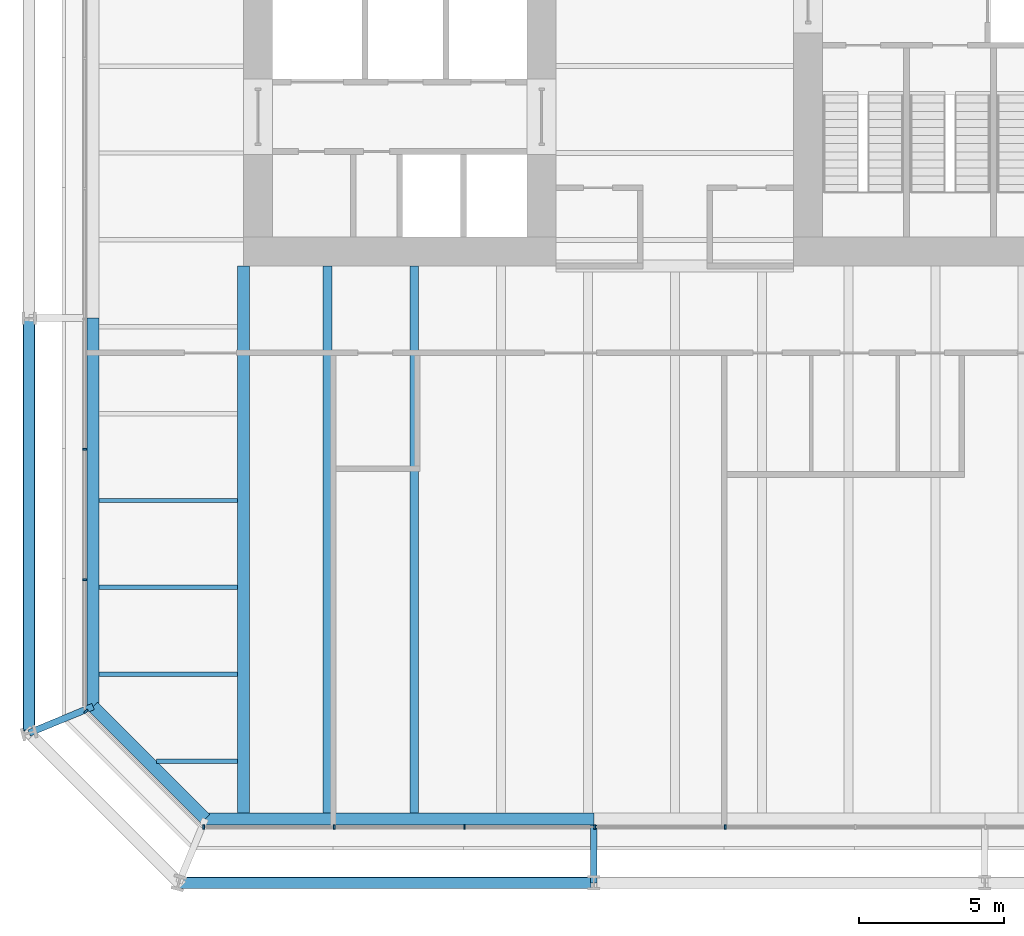
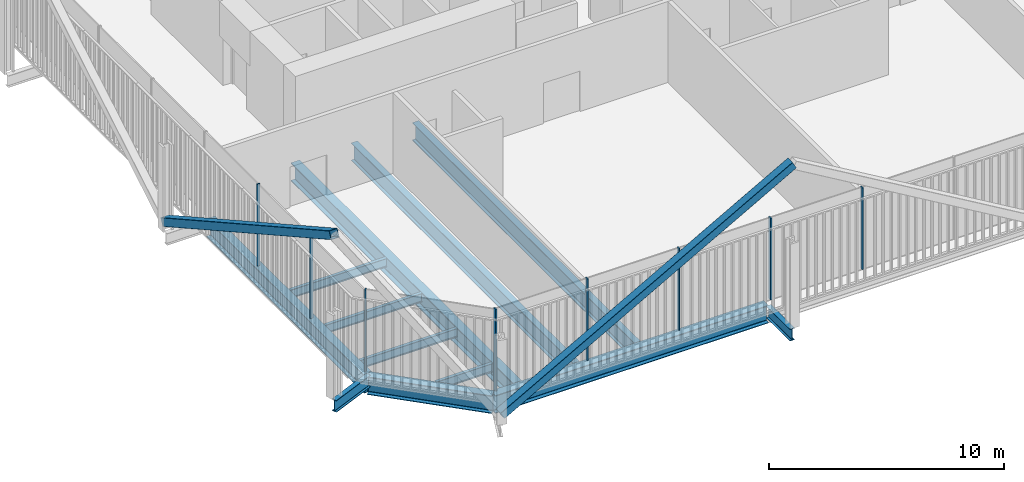
# One storey, part 2 of 21: 12 beams, 10 members, 3 elements without a shape of their own.
"""IFC4 building model written with IfcOpenShell, lengths in metres."""

from ifc_helpers import new_model, si_unit, direction, frame, origin, origin_2d, place, context, subcontext, project, spatial, rectangle, hollow_rectangle, i_section, extrude, material, layer, layer_set, material_profile, profile_set, type_object, element, aggregate, save


model = new_model("IFC4")

# Units and contexts
model_context = context("Model", 3, precision=1e-05, world=origin(), true_north=direction((0.0, 1.0)))
body_context = subcontext(model_context, "Body", "Model", "MODEL_VIEW")
ifc_project = project(units=[si_unit("LENGTHUNIT", "METRE"), si_unit("AREAUNIT", "SQUARE_METRE"), si_unit("VOLUMEUNIT", "CUBIC_METRE"), si_unit("PLANEANGLEUNIT", "RADIAN"), si_unit("MASSUNIT", "GRAM", prefix="KILO")], contexts=[model_context])

# Site, building, storey
site_placement = place(None, origin())
site = spatial("IfcSite", under=ifc_project, at=site_placement, CompositionType="ELEMENT")
building_placement = place(site_placement, origin())
building = spatial("IfcBuilding", under=site, at=building_placement, Name="Millrace Tower", CompositionType="ELEMENT")
storey_placement = place(building_placement, frame((0.0, 0.0, 82.0)))
storey = spatial("IfcBuildingStorey", under=building, at=storey_placement, Name="L18", CompositionType="ELEMENT", Elevation=82.0)

# Curtain wall, member
ifc_material_1 = material(Name="Aluminium and glass", Category="aluminium")
ifc_layer = layer(ifc_material_1, 0.14990234375)
ifc_layer_set = layer_set([ifc_layer], Name="Aluminium and glass")
curtain_wall_type = type_object("IfcCurtainWallType", Name="CW-3 telecom floor curtain wall", PredefinedType="NOTDEFINED", material=ifc_layer_set)
placement = place(storey_placement, origin())
curtain_wall_1 = element("IfcCurtainWall", 1, at=placement, inside=storey, type_object=curtain_wall_type, Name="Curtain wall B-F01 L18", PredefinedType="NOTDEFINED")
ifc_material_2 = material(Name="Aluminium", Category="aluminium")
ifc_material_profile_1 = material_profile(ifc_material_2, rectangle(XDim=0.06494140625, YDim=0.14990234375, at=origin_2d()))
ifc_profile_set_1 = profile_set([ifc_material_profile_1], Name="Aluminium")
member_type_1 = type_object("IfcMemberType", Name="CW-3 telecom floor curtain wall mullion", PredefinedType="MULLION", material=ifc_profile_set_1)
member_1_placement = place(storey_placement, frame((-20.330078125, -25.276123046875, 0.14990234375), z_axis=(0.0, 0.0, 1.0), x_axis=(0.707106781187, -0.707106781187, 0.0)))
member_1 = element("IfcMember", 2, at=member_1_placement, type_object=member_type_1, Name="CW3 mullion B-F01.1", PredefinedType="MULLION", context=body_context, shape_type="SweptSolid", body=[
    extrude(rectangle(XDim=0.06494140625, YDim=0.14990234375, at=origin_2d()), origin(), (0.0, 0.0, 1.0), 4.25),
])
aggregate(curtain_wall_1, [member_1])

# Curtain wall, members
curtain_wall_2 = element("IfcCurtainWall", 3, at=placement, inside=storey, type_object=curtain_wall_type, Name="Curtain wall B-F02 L18", PredefinedType="NOTDEFINED")
member_2_placement = place(storey_placement, frame((-16.267578125, -29.27490234375, 0.14990234375), z_axis=(0.0, 0.0, 1.0), x_axis=(1.0, 0.0, 0.0)))
member_2 = element("IfcMember", 4, at=member_2_placement, type_object=member_type_1, Name="CW3 mullion B-F02.1", PredefinedType="MULLION", context=body_context, shape_type="SweptSolid", body=[
    extrude(rectangle(XDim=0.06494140625, YDim=0.14990234375, at=origin_2d()), origin(), (0.0, 0.0, 1.0), 4.25),
])
member_3_placement = place(storey_placement, frame((-11.767578125, -29.27490234375, 0.14990234375), z_axis=(0.0, 0.0, 1.0), x_axis=(1.0, 0.0, 0.0)))
member_3 = element("IfcMember", 5, at=member_3_placement, type_object=member_type_1, Name="CW3 mullion B-F02.2", PredefinedType="MULLION", context=body_context, shape_type="SweptSolid", body=[
    extrude(rectangle(XDim=0.06494140625, YDim=0.14990234375, at=origin_2d()), origin(), (0.0, 0.0, 1.0), 4.25),
])
member_4_placement = place(storey_placement, frame((-7.267578125, -29.27490234375, 0.14990234375), z_axis=(0.0, 0.0, 1.0), x_axis=(1.0, 0.0, 0.0)))
member_4 = element("IfcMember", 6, at=member_4_placement, type_object=member_type_1, Name="CW3 mullion B-F02.3", PredefinedType="MULLION", context=body_context, shape_type="SweptSolid", body=[
    extrude(rectangle(XDim=0.06494140625, YDim=0.14990234375, at=origin_2d()), origin(), (0.0, 0.0, 1.0), 4.25),
])
member_5_placement = place(storey_placement, frame((-2.767578125, -29.27490234375, 0.14990234375), z_axis=(0.0, 0.0, 1.0), x_axis=(1.0, 0.0, 0.0)))
member_5 = element("IfcMember", 7, at=member_5_placement, type_object=member_type_1, Name="CW3 mullion B-F02.4", PredefinedType="MULLION", context=body_context, shape_type="SweptSolid", body=[
    extrude(rectangle(XDim=0.06494140625, YDim=0.14990234375, at=origin_2d()), origin(), (0.0, 0.0, 1.0), 4.25),
])
member_6_placement = place(storey_placement, frame((1.732421875, -29.27490234375, 0.14990234375), z_axis=(0.0, 0.0, 1.0), x_axis=(1.0, 0.0, 0.0)))
member_6 = element("IfcMember", 8, at=member_6_placement, type_object=member_type_1, Name="CW3 mullion B-F02.5", PredefinedType="MULLION", context=body_context, shape_type="SweptSolid", body=[
    extrude(rectangle(XDim=0.06494140625, YDim=0.14990234375, at=origin_2d()), origin(), (0.0, 0.0, 1.0), 4.25),
])
aggregate(curtain_wall_2, [member_2, member_3, member_4, member_5, member_6])

curtain_wall_3 = element("IfcCurtainWall", 9, at=placement, inside=storey, type_object=curtain_wall_type, Name="Curtain wall B-F08 L18", PredefinedType="NOTDEFINED")
member_7_placement = place(storey_placement, frame((-20.375, -16.232421875, 0.14990234375), z_axis=(0.0, 0.0, 1.0), x_axis=(0.0, -1.0, 0.0)))
member_7 = element("IfcMember", 10, at=member_7_placement, type_object=member_type_1, Name="CW3 mullion B-F08.8", PredefinedType="MULLION", context=body_context, shape_type="SweptSolid", body=[
    extrude(rectangle(XDim=0.06494140625, YDim=0.14990234375, at=origin_2d()), origin(), (0.0, 0.0, 1.0), 4.25),
])
member_8_placement = place(storey_placement, frame((-20.375, -20.732421875, 0.14990234375), z_axis=(0.0, 0.0, 1.0), x_axis=(0.0, -1.0, 0.0)))
member_8 = element("IfcMember", 11, at=member_8_placement, type_object=member_type_1, Name="CW3 mullion B-F08.9", PredefinedType="MULLION", context=body_context, shape_type="SweptSolid", body=[
    extrude(rectangle(XDim=0.06494140625, YDim=0.14990234375, at=origin_2d()), origin(), (0.0, 0.0, 1.0), 4.25),
])
aggregate(curtain_wall_3, [member_7, member_8])

# Members
ifc_material_3 = material(Name="Steel ASTM A500 Grade C", Category="steel")
ifc_material_profile_2 = material_profile(ifc_material_3, hollow_rectangle(XDim=0.406494140625, YDim=0.406494140625, WallThickness=0.015869140625, InnerFilletRadius=0.008056640625, OuterFilletRadius=0.02392578125, at=origin_2d()))
ifc_profile_set_2 = profile_set([ifc_material_profile_2], Name="Steel ASTM A500 Grade C")
member_type_2 = type_object("IfcMemberType", Name="Exoskeleton brace HSS16x16x5/8", PredefinedType="BRACE", material=ifc_profile_set_2)
for number, where, z_axis, x_axis, name in (
    (12, (-17.12841796875, -31.199951171875, 0.39990234375), (0.873125840427, 0.0, 0.487494888976), (0.0, 1.0, 0.0), "BRC-B-L18-02"),
    (13, (-22.300048828125, -11.699951171875, 0.39990234375), (0.0, -0.873125840427, 0.487494888976), (1.0, 0.0, 0.0), "BRC-B-L18-16"),
):
    element("IfcMember", number, at=place(storey_placement, frame(where, z_axis=z_axis, x_axis=x_axis)), inside=storey, type_object=member_type_2, Name=name, PredefinedType="BRACE", context=body_context, shape_type="SweptSolid", body=[
        extrude(hollow_rectangle(XDim=0.406494140625, YDim=0.406494140625, WallThickness=0.015869140625, InnerFilletRadius=0.008056640625, OuterFilletRadius=0.02392578125, at=origin_2d()), origin(), (0.0, 0.0, 1.0), 16.410400390625),
    ])

# Beams
ifc_material_4 = material(Name="Steel ASTM A992 Grade 50", Category="steel")
ifc_material_profile_3 = material_profile(ifc_material_4, i_section(OverallWidth=0.15234375, OverallDepth=0.449462890625, WebThickness=0.007568359375, FlangeThickness=0.0107421875, FilletRadius=0.01025390625, at=origin_2d()))
ifc_profile_set_3 = profile_set([ifc_material_profile_3], Name="Steel ASTM A992 Grade 50")
beam_type_1 = type_object("IfcBeamType", Name="Floor beam W18x35", PredefinedType="JOIST", material=ifc_profile_set_3)
for number, where, z_axis, x_axis, name in (
    (14, (-19.880859375, -24.0, -0.4248046875), (1.0, 0.0, 0.0), (0.0, 1.0, 0.0), "BM-B-L18-S1-S003"),
    (15, (-19.880859375, -21.0, -0.4248046875), (1.0, 0.0, 0.0), (0.0, 1.0, 0.0), "BM-B-L18-S1-S005"),
    (16, (-19.880859375, -18.0, -0.4248046875), (1.0, 0.0, 0.0), (0.0, 1.0, 0.0), "BM-B-L18-S1-S007"),
):
    element("IfcBeam", number, at=place(storey_placement, frame(where, z_axis=z_axis, x_axis=x_axis)), inside=storey, type_object=beam_type_1, Name=name, PredefinedType="JOIST", context=body_context, shape_type="SweptSolid", body=[
        extrude(i_section(OverallWidth=0.15234375, OverallDepth=0.449462890625, WebThickness=0.007568359375, FlangeThickness=0.0107421875, FilletRadius=0.01025390625, at=origin_2d()), origin(), (0.0, 0.0, 1.0), 4.77001953125),
    ])
beam_1_placement = place(storey_placement, frame((-17.895263671875, -27.0, -0.4248046875), z_axis=(1.0, 0.0, 0.0), x_axis=(0.0, 1.0, 0.0)))
element("IfcBeam", 17, at=beam_1_placement, inside=storey, type_object=beam_type_1, Name="BM-B-L18-S1-S001", PredefinedType="JOIST", context=body_context, shape_type="SweptSolid", body=[
    extrude(i_section(OverallWidth=0.15234375, OverallDepth=0.449462890625, WebThickness=0.007568359375, FlangeThickness=0.0107421875, FilletRadius=0.01025390625, at=origin_2d()), origin(), (0.0, 0.0, 1.0), 2.784423828125),
])
ifc_material_5 = material(Name="Steel ASTM A992 Grade 50", Category="steel")
ifc_material_profile_4 = material_profile(ifc_material_5, i_section(OverallWidth=0.307373046875, OverallDepth=0.927001953125, WebThickness=0.01953125, FlangeThickness=0.031982421875, FilletRadius=0.01904296875, at=origin_2d()))
ifc_profile_set_4 = profile_set([ifc_material_profile_4], Name="Steel ASTM A992 Grade 50")
beam_type_2 = type_object("IfcBeamType", Name="Floor beam W36x194", PredefinedType="JOIST", material=ifc_profile_set_4)
for number, where, z_axis, x_axis, name in (
    (18, (-12.0, -28.781005859375, -0.66357421875), (0.0, 1.0, 0.0), (-1.0, 0.0, 0.0), "BM-B-L18-S1-S041"),
    (19, (-9.0, -28.781005859375, -0.66357421875), (0.0, 1.0, 0.0), (-1.0, 0.0, 0.0), "BM-B-L18-S1-S043"),
):
    element("IfcBeam", number, at=place(storey_placement, frame(where, z_axis=z_axis, x_axis=x_axis)), inside=storey, type_object=beam_type_2, Name=name, PredefinedType="JOIST", context=body_context, shape_type="SweptSolid", body=[
        extrude(i_section(OverallWidth=0.307373046875, OverallDepth=0.927001953125, WebThickness=0.01953125, FlangeThickness=0.031982421875, FilletRadius=0.01904296875, at=origin_2d()), origin(), (0.0, 0.0, 1.0), 18.881103515625),
    ])
ifc_material_6 = material(Name="Steel ASTM A992 Grade 50", Category="steel")
ifc_material_profile_5 = material_profile(ifc_material_6, i_section(OverallWidth=0.424072265625, OverallDepth=0.947509765625, WebThickness=0.02392578125, FlangeThickness=0.042724609375, FilletRadius=0.024169921875, at=origin_2d()))
ifc_profile_set_5 = profile_set([ifc_material_profile_5], Name="Steel ASTM A992 Grade 50")
beam_type_3 = type_object("IfcBeamType", Name="Girder medium span W36x302", PredefinedType="BEAM", material=ifc_profile_set_5)
beam_2_placement = place(storey_placement, frame((-14.89990234375, -28.781005859375, -0.673828125), z_axis=(0.0, 1.0, 0.0), x_axis=(-1.0, 0.0, 0.0)))
element("IfcBeam", 20, at=beam_2_placement, inside=storey, type_object=beam_type_3, Name="BM-B-L18-S1-G059", PredefinedType="BEAM", context=body_context, shape_type="SweptSolid", body=[
    extrude(i_section(OverallWidth=0.424072265625, OverallDepth=0.947509765625, WebThickness=0.02392578125, FlangeThickness=0.042724609375, FilletRadius=0.024169921875, at=origin_2d()), origin(), (0.0, 0.0, 1.0), 18.881103515625),
])
ifc_material_7 = material(Name="Steel ASTM A992 Grade 50", Category="steel")
ifc_material_profile_6 = material_profile(ifc_material_7, i_section(OverallWidth=0.23046875, OverallDepth=0.6171875, WebThickness=0.01318359375, FlangeThickness=0.022216796875, FilletRadius=0.012939453125, at=origin_2d()))
ifc_profile_set_6 = profile_set([ifc_material_profile_6], Name="Steel ASTM A992 Grade 50")
beam_type_4 = type_object("IfcBeamType", Name="Link beam W24x94", PredefinedType="BEAM", material=ifc_profile_set_6)
beam_3_placement = place(storey_placement, frame((-20.09033203125, -25.11328125, -0.508544921875), z_axis=(-0.923917312949, -0.382592209583, 0.0), x_axis=(0.382592209583, -0.923917312949, 0.0)))
element("IfcBeam", 21, at=beam_3_placement, inside=storey, type_object=beam_type_4, Name="LNK-B-L18-S1-01", PredefinedType="BEAM", context=body_context, shape_type="SweptSolid", body=[
    extrude(i_section(OverallWidth=0.23046875, OverallDepth=0.6171875, WebThickness=0.01318359375, FlangeThickness=0.022216796875, FilletRadius=0.012939453125, at=origin_2d()), origin(), (0.0, 0.0, 1.0), 2.3916015625),
])
beam_4_placement = place(storey_placement, frame((-2.800048828125, -29.199951171875, -0.508544921875), z_axis=(0.0, -1.0, 0.0), x_axis=(1.0, 0.0, 0.0)))
element("IfcBeam", 22, at=beam_4_placement, inside=storey, type_object=beam_type_4, Name="LNK-B-L18-S1-15", PredefinedType="BEAM", context=body_context, shape_type="SweptSolid", body=[
    extrude(i_section(OverallWidth=0.23046875, OverallDepth=0.6171875, WebThickness=0.01318359375, FlangeThickness=0.022216796875, FilletRadius=0.012939453125, at=origin_2d()), origin(), (0.0, 0.0, 1.0), 2.0),
])
ifc_material_8 = material(Name="Steel ASTM A992 Grade 50", Category="steel")
ifc_material_profile_7 = material_profile(ifc_material_8, i_section(OverallWidth=0.419189453125, OverallDepth=0.927001953125, WebThickness=0.019287109375, FlangeThickness=0.031982421875, FilletRadius=0.024169921875, at=origin_2d()))
ifc_profile_set_7 = profile_set([ifc_material_profile_7], Name="Steel ASTM A992 Grade 50")
beam_type_5 = type_object("IfcBeamType", Name="Ring beam medium span W36x231", PredefinedType="SPANDREL", material=ifc_profile_set_7)
beam_5_placement = place(storey_placement, frame((-20.09033203125, -25.11328125, -0.66357421875), z_axis=(0.0, 1.0, 0.0), x_axis=(-1.0, 0.0, 0.0)))
element("IfcBeam", 23, at=beam_5_placement, inside=storey, type_object=beam_type_5, Name="RNG-B-L18-S1-01", PredefinedType="SPANDREL", context=body_context, shape_type="SweptSolid", body=[
    extrude(i_section(OverallWidth=0.419189453125, OverallDepth=0.927001953125, WebThickness=0.019287109375, FlangeThickness=0.031982421875, FilletRadius=0.024169921875, at=origin_2d()), origin(), (0.0, 0.0, 1.0), 13.413330078125),
])
beam_6_placement = place(storey_placement, frame((-2.800048828125, -28.990478515625, -0.66357421875), z_axis=(-1.0, 0.0, 0.0), x_axis=(0.0, -1.0, 0.0)))
element("IfcBeam", 24, at=beam_6_placement, inside=storey, type_object=beam_type_5, Name="RNG-B-L18-S1-15", PredefinedType="SPANDREL", context=body_context, shape_type="SweptSolid", body=[
    extrude(i_section(OverallWidth=0.419189453125, OverallDepth=0.927001953125, WebThickness=0.019287109375, FlangeThickness=0.031982421875, FilletRadius=0.024169921875, at=origin_2d()), origin(), (0.0, 0.0, 1.0), 13.4130859375),
])
ifc_material_9 = material(Name="Steel ASTM A992 Grade 50", Category="steel")
ifc_material_profile_8 = material_profile(ifc_material_9, i_section(OverallWidth=0.419189453125, OverallDepth=0.927001953125, WebThickness=0.019287109375, FlangeThickness=0.031982421875, FilletRadius=0.024169921875, at=origin_2d()))
ifc_profile_set_8 = profile_set([ifc_material_profile_8], Name="Steel ASTM A992 Grade 50")
beam_type_6 = type_object("IfcBeamType", Name="Ring beam short span W36x231", PredefinedType="SPANDREL", material=ifc_profile_set_8)
beam_7_placement = place(storey_placement, frame((-16.213134765625, -28.990478515625, -0.66357421875), z_axis=(-0.707106781187, 0.707106781187, 0.0), x_axis=(-0.707106781187, -0.707106781187, 0.0)))
element("IfcBeam", 25, at=beam_7_placement, inside=storey, type_object=beam_type_6, Name="RNG-B-L18-S1-16", PredefinedType="SPANDREL", context=body_context, shape_type="SweptSolid", body=[
    extrude(i_section(OverallWidth=0.419189453125, OverallDepth=0.927001953125, WebThickness=0.019287109375, FlangeThickness=0.031982421875, FilletRadius=0.024169921875, at=origin_2d()), origin(), (0.0, 0.0, 1.0), 5.483154296875),
])

save(model, "model.ifc")
